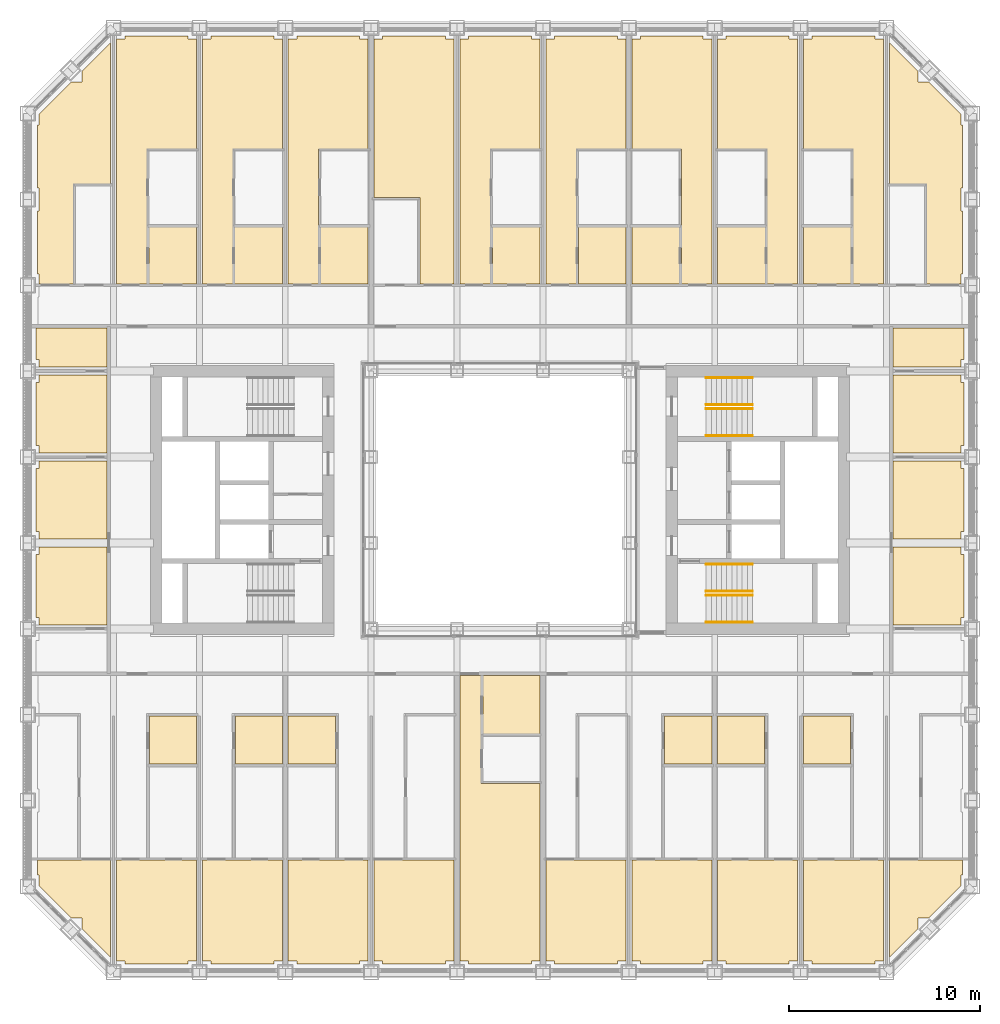
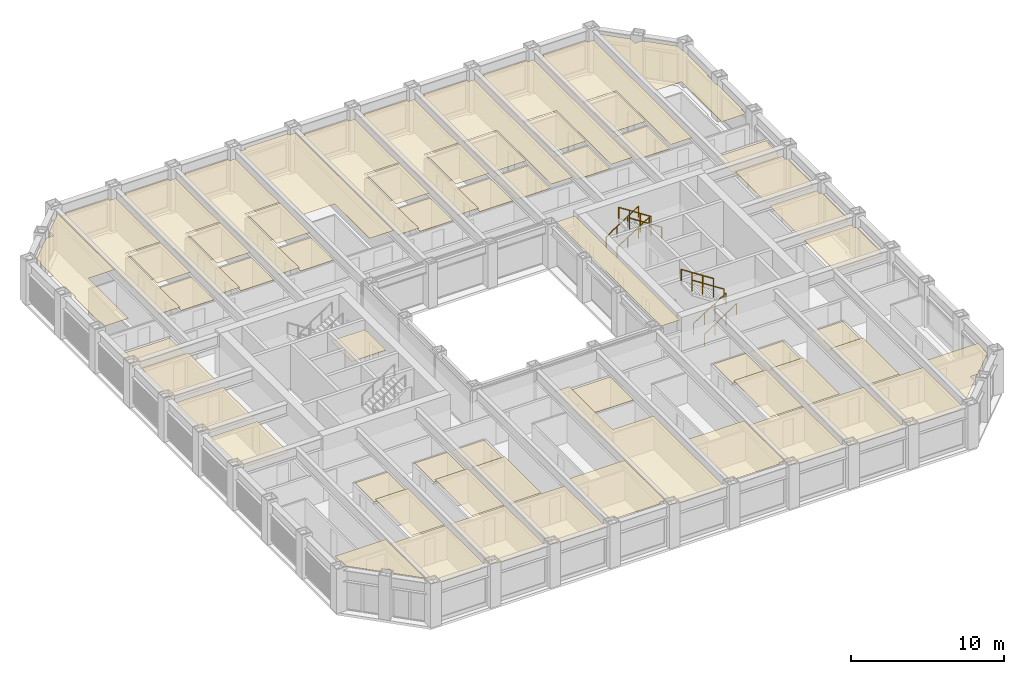
# One storey, part 20 of 21: 8 railings, 3 coverings.
"""IFC4 building model written with IfcOpenShell, lengths in metres."""

from ifc_helpers import new_model, si_unit, direction, frame, origin, origin_2d, place, context, subcontext, project, spatial, line, indexed_curve, circle, outline, extrude, material, layer, layer_set, type_object, element, save


model = new_model("IFC4")

# Units and contexts
model_context = context("Model", 3, precision=1e-05, world=origin(), true_north=direction((0.0, 1.0)))
body_context = subcontext(model_context, "Body", "Model", "MODEL_VIEW")
ifc_project = project(units=[si_unit("LENGTHUNIT", "METRE"), si_unit("AREAUNIT", "SQUARE_METRE"), si_unit("VOLUMEUNIT", "CUBIC_METRE"), si_unit("PLANEANGLEUNIT", "RADIAN"), si_unit("MASSUNIT", "GRAM", prefix="KILO")], contexts=[model_context])

# Site, building, storey
site_placement = place(None, origin())
site = spatial("IfcSite", under=ifc_project, at=site_placement, CompositionType="ELEMENT")
building_placement = place(site_placement, origin())
building = spatial("IfcBuilding", under=site, at=building_placement, Name="Msasa Ring Tower", CompositionType="ELEMENT")
storey_placement = place(building_placement, frame((0.0, 0.0, 68.5)))
storey = spatial("IfcBuildingStorey", under=building, at=storey_placement, Name="L17", CompositionType="ELEMENT", Elevation=68.5)

# Coverings
ifc_material_1 = material(Name="Gypsum plasterboard on a steel suspension grid", Category="steel")
ifc_layer_1 = layer(ifc_material_1, 0.014892578125)
ifc_layer_set_1 = layer_set([ifc_layer_1], Name="C1 SUSPENDED PLASTERBOARD CEILING 15")
covering_type_1 = type_object("IfcCoveringType", Name="C1 SUSPENDED PLASTERBOARD CEILING 15", PredefinedType="CEILING", material=ifc_layer_set_1)
covering_1_placement = place(storey_placement, frame((0.0, 0.0, 3.175048828125)))
element("IfcCovering", 1, at=covering_1_placement, inside=storey, type_object=covering_type_1, Name="Suspended Plasterboard Ceiling 15 public rooms L17", PredefinedType="CEILING", context=body_context, shape_type="SweptSolid", body=[
    extrude(outline(indexed_curve([(-24.23193359375, -18.867919921875), (-20.404296875, -18.867919921875), (-20.404296875, -23.95849609375), (-21.8994140625, -22.46337890625), (-21.8994140625, -21.8994140625), (-22.46337890625, -21.8994140625), (-24.1494140625, -20.21337890625), (-24.1494140625, -19.6494140625), (-24.23193359375, -19.6494140625)], segments=[line(1, 2, 3, 4, 5, 6, 7, 8, 9, 1)], self_intersect=False)), origin(), (0.0, 0.0, 1.0), 0.014892578125),
    extrude(outline(indexed_curve([(-22.3505859375, 11.31298828125), (-24.1494140625, 11.31298828125), (-24.1494140625, 11.8505859375), (-24.23193359375, 11.8505859375), (-24.23193359375, 15.1494140625), (-24.1494140625, 15.1494140625), (-24.1494140625, 16.3505859375), (-24.23193359375, 16.3505859375), (-24.23193359375, 19.6494140625), (-24.1494140625, 19.6494140625), (-24.1494140625, 20.21337890625), (-22.46337890625, 21.8994140625), (-21.8994140625, 21.8994140625), (-21.8994140625, 22.46337890625), (-20.404296875, 23.95849609375), (-20.404296875, 16.56298828125), (-22.3505859375, 16.56298828125)], segments=[line(1, 2, 3, 4, 5, 6, 7, 8, 9, 10, 11, 12, 13, 14, 15, 16, 17, 1)], self_intersect=False)), origin(), (0.0, 0.0, 1.0), 0.014892578125),
    extrude(outline(indexed_curve([(-2.404296875, -18.867919921875), (-2.404296875, -24.1494140625), (-2.8505859375, -24.1494140625), (-2.8505859375, -24.299560546875), (-6.1494140625, -24.299560546875), (-6.1494140625, -24.1494140625), (-6.595703125, -24.1494140625), (-6.595703125, -18.867919921875)], segments=[line(1, 2, 3, 4, 5, 6, 7, 8, 1)], self_intersect=False)), origin(), (0.0, 0.0, 1.0), 0.014892578125),
    extrude(outline(indexed_curve([(-2.8505859375, 24.299560546875), (-2.8505859375, 24.1494140625), (-2.404296875, 24.1494140625), (-2.404296875, 11.31298828125), (-4.199462890625, 11.31298828125), (-4.199462890625, 15.843017578125), (-6.595703125, 15.843017578125), (-6.595703125, 24.1494140625), (-6.1494140625, 24.1494140625), (-6.1494140625, 24.299560546875)], segments=[line(1, 2, 3, 4, 5, 6, 7, 8, 9, 10, 1)], self_intersect=False)), origin(), (0.0, 0.0, 1.0), 0.014892578125),
    extrude(outline(indexed_curve([(6.595703125, -18.867919921875), (6.595703125, -24.1494140625), (6.1494140625, -24.1494140625), (6.1494140625, -24.299560546875), (2.8505859375, -24.299560546875), (2.8505859375, -24.1494140625), (2.404296875, -24.1494140625), (2.404296875, -18.867919921875)], segments=[line(1, 2, 3, 4, 5, 6, 7, 8, 1)], self_intersect=False)), origin(), (0.0, 0.0, 1.0), 0.014892578125),
    extrude(outline(indexed_curve([(7.280029296875, -6.849609375), (7.280029296875, 6.849609375), (8.699462890625, 6.849609375), (8.699462890625, -6.849609375)], segments=[line(1, 2, 3, 4, 1)], self_intersect=False)), origin(), (0.0, 0.0, 1.0), 0.014892578125),
    extrude(outline(indexed_curve([(24.23193359375, -18.867919921875), (24.23193359375, -19.6494140625), (24.1494140625, -19.6494140625), (24.1494140625, -20.21337890625), (22.46337890625, -21.8994140625), (21.8994140625, -21.8994140625), (21.8994140625, -22.46337890625), (20.404296875, -23.95849609375), (20.404296875, -18.867919921875)], segments=[line(1, 2, 3, 4, 5, 6, 7, 8, 9, 1)], self_intersect=False)), origin(), (0.0, 0.0, 1.0), 0.014892578125),
    extrude(outline(indexed_curve([(21.8994140625, 22.46337890625), (21.8994140625, 21.8994140625), (22.46337890625, 21.8994140625), (24.1494140625, 20.21337890625), (24.1494140625, 19.6494140625), (24.23193359375, 19.6494140625), (24.23193359375, 16.3505859375), (24.1494140625, 16.3505859375), (24.1494140625, 15.1494140625), (24.23193359375, 15.1494140625), (24.23193359375, 11.8505859375), (24.1494140625, 11.8505859375), (24.1494140625, 11.31298828125), (22.3505859375, 11.31298828125), (22.3505859375, 16.56298828125), (20.404296875, 16.56298828125), (20.404296875, 23.95849609375)], segments=[line(1, 2, 3, 4, 5, 6, 7, 8, 9, 10, 11, 12, 13, 14, 15, 16, 17, 1)], self_intersect=False)), origin(), (0.0, 0.0, 1.0), 0.014892578125),
])
covering_2_placement = place(storey_placement, frame((0.0, 0.0, 2.699951171875)))
element("IfcCovering", 2, at=covering_2_placement, inside=storey, type_object=covering_type_1, Name="Suspended Plasterboard Ceiling 15 L17", PredefinedType="CEILING", context=body_context, shape_type="SweptSolid", body=[
    extrude(outline(indexed_curve([(-24.299560546875, -2.8505859375), (-24.1494140625, -2.8505859375), (-24.1494140625, -2.460693359375), (-20.6005859375, -2.460693359375), (-20.6005859375, -6.539306640625), (-24.1494140625, -6.539306640625), (-24.1494140625, -6.1494140625), (-24.299560546875, -6.1494140625)], segments=[line(1, 2, 3, 4, 5, 6, 7, 8, 1)], self_intersect=False)), origin(), (0.0, 0.0, 1.0), 0.01513671875),
    extrude(outline(indexed_curve([(-24.299560546875, 1.6494140625), (-24.1494140625, 1.6494140625), (-24.1494140625, 2.039306640625), (-20.6005859375, 2.039306640625), (-20.6005859375, -2.039306640625), (-24.1494140625, -2.039306640625), (-24.1494140625, -1.6494140625), (-24.299560546875, -1.6494140625)], segments=[line(1, 2, 3, 4, 5, 6, 7, 8, 1)], self_intersect=False)), origin(), (0.0, 0.0, 1.0), 0.01513671875),
    extrude(outline(indexed_curve([(-24.299560546875, 6.1494140625), (-24.1494140625, 6.1494140625), (-24.1494140625, 6.539306640625), (-20.6005859375, 6.539306640625), (-20.6005859375, 2.460693359375), (-24.1494140625, 2.460693359375), (-24.1494140625, 2.8505859375), (-24.299560546875, 2.8505859375)], segments=[line(1, 2, 3, 4, 5, 6, 7, 8, 1)], self_intersect=False)), origin(), (0.0, 0.0, 1.0), 0.01513671875),
    extrude(outline(indexed_curve([(-15.904296875, -18.867919921875), (-15.904296875, -24.1494140625), (-16.3505859375, -24.1494140625), (-16.3505859375, -24.299560546875), (-19.6494140625, -24.299560546875), (-19.6494140625, -24.1494140625), (-20.095703125, -24.1494140625), (-20.095703125, -18.867919921875)], segments=[line(1, 2, 3, 4, 5, 6, 7, 8, 1)], self_intersect=False)), origin(), (0.0, 0.0, 1.0), 0.01513671875),
    extrude(outline(indexed_curve([(-16.3505859375, 24.299560546875), (-16.3505859375, 24.1494140625), (-15.904296875, 24.1494140625), (-15.904296875, 18.40087890625), (-18.50048828125, 18.40087890625), (-18.50048828125, 11.31298828125), (-20.095703125, 11.31298828125), (-20.095703125, 24.1494140625), (-19.6494140625, 24.1494140625), (-19.6494140625, 24.299560546875)], segments=[line(1, 2, 3, 4, 5, 6, 7, 8, 9, 10, 1)], self_intersect=False)), origin(), (0.0, 0.0, 1.0), 0.01513671875),
    extrude(outline(indexed_curve([(-15.904296875, 18.294921875), (-15.904296875, 14.430419921875), (-18.3994140625, 14.430419921875), (-18.3994140625, 18.294921875)], segments=[line(1, 2, 3, 4, 1)], self_intersect=False)), origin(), (0.0, 0.0, 1.0), 0.01513671875),
    extrude(outline(indexed_curve([(-15.904296875, -13.992919921875), (-15.904296875, -18.757080078125), (-18.369384765625, -18.757080078125), (-18.369384765625, -13.992919921875)], segments=[line(1, 2, 3, 4, 1)], self_intersect=False)), origin(), (0.0, 0.0, 1.0), 0.01513671875),
    extrude(outline(indexed_curve([(-15.1494140625, -24.299560546875), (-15.1494140625, -24.1494140625), (-15.595703125, -24.1494140625), (-15.595703125, -18.867919921875), (-11.404296875, -18.867919921875), (-11.404296875, -24.1494140625), (-11.8505859375, -24.1494140625), (-11.8505859375, -24.299560546875)], segments=[line(1, 2, 3, 4, 5, 6, 7, 8, 1)], self_intersect=False)), origin(), (0.0, 0.0, 1.0), 0.01513671875),
    extrude(outline(indexed_curve([(-11.8505859375, 24.299560546875), (-11.8505859375, 24.1494140625), (-11.404296875, 24.1494140625), (-11.404296875, 18.403564453125), (-14.00048828125, 18.403564453125), (-14.00048828125, 11.31298828125), (-15.595703125, 11.31298828125), (-15.595703125, 24.1494140625), (-15.1494140625, 24.1494140625), (-15.1494140625, 24.299560546875)], segments=[line(1, 2, 3, 4, 5, 6, 7, 8, 9, 10, 1)], self_intersect=False)), origin(), (0.0, 0.0, 1.0), 0.01513671875),
    extrude(outline(indexed_curve([(-11.404296875, 18.297607421875), (-11.404296875, 14.430419921875), (-13.8994140625, 14.430419921875), (-13.8994140625, 18.297607421875)], segments=[line(1, 2, 3, 4, 1)], self_intersect=False)), origin(), (0.0, 0.0, 1.0), 0.01513671875),
    extrude(outline(indexed_curve([(-11.404296875, -13.992919921875), (-11.404296875, -18.757080078125), (-13.869384765625, -18.757080078125), (-13.869384765625, -13.992919921875)], segments=[line(1, 2, 3, 4, 1)], self_intersect=False)), origin(), (0.0, 0.0, 1.0), 0.01513671875),
    extrude(outline(indexed_curve([(-9.300537109375, 3.074462890625), (-9.300537109375, 0.35546875), (-11.87451171875, 0.35546875), (-11.87451171875, 3.074462890625)], segments=[line(1, 2, 3, 4, 1)], self_intersect=False)), origin(), (0.0, 0.0, 1.0), 0.01513671875),
    extrude(outline(indexed_curve([(-10.6494140625, -24.299560546875), (-10.6494140625, -24.1494140625), (-11.095703125, -24.1494140625), (-11.095703125, -18.867919921875), (-6.904296875, -18.867919921875), (-6.904296875, -24.1494140625), (-7.3505859375, -24.1494140625), (-7.3505859375, -24.299560546875)], segments=[line(1, 2, 3, 4, 5, 6, 7, 8, 1)], self_intersect=False)), origin(), (0.0, 0.0, 1.0), 0.01513671875),
    extrude(outline(indexed_curve([(-8.630615234375, -13.992919921875), (-8.630615234375, -18.757080078125), (-11.095703125, -18.757080078125), (-11.095703125, -13.992919921875)], segments=[line(1, 2, 3, 4, 1)], self_intersect=False)), origin(), (0.0, 0.0, 1.0), 0.01513671875),
    extrude(outline(indexed_curve([(-7.3505859375, 24.299560546875), (-7.3505859375, 24.1494140625), (-6.904296875, 24.1494140625), (-6.904296875, 18.403564453125), (-9.50048828125, 18.403564453125), (-9.50048828125, 11.31298828125), (-11.095703125, 11.31298828125), (-11.095703125, 24.1494140625), (-10.6494140625, 24.1494140625), (-10.6494140625, 24.299560546875)], segments=[line(1, 2, 3, 4, 5, 6, 7, 8, 9, 10, 1)], self_intersect=False)), origin(), (0.0, 0.0, 1.0), 0.01513671875),
    extrude(outline(indexed_curve([(-6.904296875, 18.297607421875), (-6.904296875, 14.430419921875), (-9.3994140625, 14.430419921875), (-9.3994140625, 18.297607421875)], segments=[line(1, 2, 3, 4, 1)], self_intersect=False)), origin(), (0.0, 0.0, 1.0), 0.01513671875),
    extrude(outline(indexed_curve([(-1.00048828125, -9.200439453125), (-1.00048828125, -14.8505859375), (2.095703125, -14.8505859375), (2.095703125, -24.1494140625), (1.6494140625, -24.1494140625), (1.6494140625, -24.299560546875), (-1.6494140625, -24.299560546875), (-1.6494140625, -24.1494140625), (-2.095703125, -24.1494140625), (-2.095703125, -9.200439453125)], segments=[line(1, 2, 3, 4, 5, 6, 7, 8, 9, 10, 1)], self_intersect=False)), origin(), (0.0, 0.0, 1.0), 0.01513671875),
    extrude(outline(indexed_curve([(1.6494140625, 24.299560546875), (1.6494140625, 24.1494140625), (2.095703125, 24.1494140625), (2.095703125, 18.403564453125), (-0.50048828125, 18.403564453125), (-0.50048828125, 11.31298828125), (-2.095703125, 11.31298828125), (-2.095703125, 24.1494140625), (-1.6494140625, 24.1494140625), (-1.6494140625, 24.299560546875)], segments=[line(1, 2, 3, 4, 5, 6, 7, 8, 9, 10, 1)], self_intersect=False)), origin(), (0.0, 0.0, 1.0), 0.01513671875),
    extrude(outline(indexed_curve([(2.095703125, 18.297607421875), (2.095703125, 14.430419921875), (-0.3994140625, 14.430419921875), (-0.3994140625, 18.297607421875)], segments=[line(1, 2, 3, 4, 1)], self_intersect=False)), origin(), (0.0, 0.0, 1.0), 0.01513671875),
    extrude(outline(indexed_curve([(6.1494140625, 24.299560546875), (6.1494140625, 24.1494140625), (6.595703125, 24.1494140625), (6.595703125, 18.403564453125), (3.99951171875, 18.403564453125), (3.99951171875, 11.31298828125), (2.404296875, 11.31298828125), (2.404296875, 24.1494140625), (2.8505859375, 24.1494140625), (2.8505859375, 24.299560546875)], segments=[line(1, 2, 3, 4, 5, 6, 7, 8, 9, 10, 1)], self_intersect=False)), origin(), (0.0, 0.0, 1.0), 0.01513671875),
    extrude(outline(indexed_curve([(6.595703125, 18.297607421875), (6.595703125, 14.430419921875), (4.1005859375, 14.430419921875), (4.1005859375, 18.297607421875)], segments=[line(1, 2, 3, 4, 1)], self_intersect=False)), origin(), (0.0, 0.0, 1.0), 0.01513671875),
    extrude(outline(indexed_curve([(7.3505859375, -24.299560546875), (7.3505859375, -24.1494140625), (6.904296875, -24.1494140625), (6.904296875, -18.867919921875), (11.095703125, -18.867919921875), (11.095703125, -24.1494140625), (10.6494140625, -24.1494140625), (10.6494140625, -24.299560546875)], segments=[line(1, 2, 3, 4, 5, 6, 7, 8, 1)], self_intersect=False)), origin(), (0.0, 0.0, 1.0), 0.01513671875),
    extrude(outline(indexed_curve([(9.50048828125, 11.31298828125), (9.50048828125, 18.403564453125), (6.904296875, 18.403564453125), (6.904296875, 24.1494140625), (7.3505859375, 24.1494140625), (7.3505859375, 24.299560546875), (10.6494140625, 24.299560546875), (10.6494140625, 24.1494140625), (11.095703125, 24.1494140625), (11.095703125, 11.31298828125)], segments=[line(1, 2, 3, 4, 5, 6, 7, 8, 9, 10, 1)], self_intersect=False)), origin(), (0.0, 0.0, 1.0), 0.01513671875),
    extrude(outline(indexed_curve([(9.3994140625, 18.297607421875), (9.3994140625, 14.430419921875), (6.904296875, 14.430419921875), (6.904296875, 18.297607421875)], segments=[line(1, 2, 3, 4, 1)], self_intersect=False)), origin(), (0.0, 0.0, 1.0), 0.01513671875),
    extrude(outline(indexed_curve([(11.095703125, -13.992919921875), (11.095703125, -18.757080078125), (8.630615234375, -18.757080078125), (8.630615234375, -13.992919921875)], segments=[line(1, 2, 3, 4, 1)], self_intersect=False)), origin(), (0.0, 0.0, 1.0), 0.01513671875),
    extrude(outline(indexed_curve([(11.8505859375, -24.299560546875), (11.8505859375, -24.1494140625), (11.404296875, -24.1494140625), (11.404296875, -18.867919921875), (15.595703125, -18.867919921875), (15.595703125, -24.1494140625), (15.1494140625, -24.1494140625), (15.1494140625, -24.299560546875)], segments=[line(1, 2, 3, 4, 5, 6, 7, 8, 1)], self_intersect=False)), origin(), (0.0, 0.0, 1.0), 0.01513671875),
    extrude(outline(indexed_curve([(13.869384765625, -13.992919921875), (13.869384765625, -18.757080078125), (11.404296875, -18.757080078125), (11.404296875, -13.992919921875)], segments=[line(1, 2, 3, 4, 1)], self_intersect=False)), origin(), (0.0, 0.0, 1.0), 0.01513671875),
    extrude(outline(indexed_curve([(14.00048828125, 11.31298828125), (14.00048828125, 18.403564453125), (11.404296875, 18.403564453125), (11.404296875, 24.1494140625), (11.8505859375, 24.1494140625), (11.8505859375, 24.299560546875), (15.1494140625, 24.299560546875), (15.1494140625, 24.1494140625), (15.595703125, 24.1494140625), (15.595703125, 11.31298828125)], segments=[line(1, 2, 3, 4, 5, 6, 7, 8, 9, 10, 1)], self_intersect=False)), origin(), (0.0, 0.0, 1.0), 0.01513671875),
    extrude(outline(indexed_curve([(13.8994140625, 18.297607421875), (13.8994140625, 14.430419921875), (11.404296875, 14.430419921875), (11.404296875, 18.297607421875)], segments=[line(1, 2, 3, 4, 1)], self_intersect=False)), origin(), (0.0, 0.0, 1.0), 0.01513671875),
    extrude(outline(indexed_curve([(20.095703125, -18.867919921875), (20.095703125, -24.1494140625), (19.6494140625, -24.1494140625), (19.6494140625, -24.299560546875), (16.3505859375, -24.299560546875), (16.3505859375, -24.1494140625), (15.904296875, -24.1494140625), (15.904296875, -18.867919921875)], segments=[line(1, 2, 3, 4, 5, 6, 7, 8, 1)], self_intersect=False)), origin(), (0.0, 0.0, 1.0), 0.01513671875),
    extrude(outline(indexed_curve([(18.369384765625, -13.992919921875), (18.369384765625, -18.757080078125), (15.904296875, -18.757080078125), (15.904296875, -13.992919921875)], segments=[line(1, 2, 3, 4, 1)], self_intersect=False)), origin(), (0.0, 0.0, 1.0), 0.01513671875),
    extrude(outline(indexed_curve([(18.50048828125, 11.31298828125), (18.50048828125, 18.40087890625), (15.904296875, 18.40087890625), (15.904296875, 24.1494140625), (16.3505859375, 24.1494140625), (16.3505859375, 24.299560546875), (19.6494140625, 24.299560546875), (19.6494140625, 24.1494140625), (20.095703125, 24.1494140625), (20.095703125, 11.31298828125)], segments=[line(1, 2, 3, 4, 5, 6, 7, 8, 9, 10, 1)], self_intersect=False)), origin(), (0.0, 0.0, 1.0), 0.01513671875),
    extrude(outline(indexed_curve([(18.3994140625, 18.294921875), (18.3994140625, 14.430419921875), (15.904296875, 14.430419921875), (15.904296875, 18.294921875)], segments=[line(1, 2, 3, 4, 1)], self_intersect=False)), origin(), (0.0, 0.0, 1.0), 0.01513671875),
    extrude(outline(indexed_curve([(20.6005859375, -2.460693359375), (24.1494140625, -2.460693359375), (24.1494140625, -2.8505859375), (24.299560546875, -2.8505859375), (24.299560546875, -6.1494140625), (24.1494140625, -6.1494140625), (24.1494140625, -6.539306640625), (20.6005859375, -6.539306640625)], segments=[line(1, 2, 3, 4, 5, 6, 7, 8, 1)], self_intersect=False)), origin(), (0.0, 0.0, 1.0), 0.01513671875),
    extrude(outline(indexed_curve([(20.6005859375, 2.039306640625), (24.1494140625, 2.039306640625), (24.1494140625, 1.6494140625), (24.299560546875, 1.6494140625), (24.299560546875, -1.6494140625), (24.1494140625, -1.6494140625), (24.1494140625, -2.039306640625), (20.6005859375, -2.039306640625)], segments=[line(1, 2, 3, 4, 5, 6, 7, 8, 1)], self_intersect=False)), origin(), (0.0, 0.0, 1.0), 0.01513671875),
    extrude(outline(indexed_curve([(20.6005859375, 6.539306640625), (24.1494140625, 6.539306640625), (24.1494140625, 6.1494140625), (24.299560546875, 6.1494140625), (24.299560546875, 2.8505859375), (24.1494140625, 2.8505859375), (24.1494140625, 2.460693359375), (20.6005859375, 2.460693359375)], segments=[line(1, 2, 3, 4, 5, 6, 7, 8, 1)], self_intersect=False)), origin(), (0.0, 0.0, 1.0), 0.01513671875),
])
ifc_material_2 = material(Name="Moisture-resistant gypsum plasterboard on a steel suspension grid", Category="steel")
ifc_layer_2 = layer(ifc_material_2, 0.014892578125)
ifc_layer_set_2 = layer_set([ifc_layer_2], Name="C2 MOISTURE-RESISTANT PLASTERBOARD CEILING 15")
covering_type_2 = type_object("IfcCoveringType", Name="C2 MOISTURE-RESISTANT PLASTERBOARD CEILING 15", PredefinedType="CEILING", material=ifc_layer_set_2)
covering_3_placement = place(storey_placement, frame((0.0, 0.0, 2.39990234375)))
element("IfcCovering", 3, at=covering_3_placement, inside=storey, type_object=covering_type_2, Name="Moisture-Resistant Plasterboard Ceiling 15 L17", PredefinedType="CEILING", context=body_context, shape_type="SweptSolid", body=[
    extrude(outline(indexed_curve([(-20.6005859375, 6.960693359375), (-24.1494140625, 6.960693359375), (-24.1494140625, 7.3505859375), (-24.299560546875, 7.3505859375), (-24.299560546875, 8.99951171875), (-20.6005859375, 8.99951171875)], segments=[line(1, 2, 3, 4, 5, 6, 1)], self_intersect=False)), origin(), (0.0, 0.0, 1.0), 0.01513671875),
    extrude(outline(indexed_curve([(-18.3994140625, 14.299560546875), (-15.904296875, 14.299560546875), (-15.904296875, 11.31298828125), (-18.3994140625, 11.31298828125)], segments=[line(1, 2, 3, 4, 1)], self_intersect=False)), origin(), (0.0, 0.0, 1.0), 0.01513671875),
    extrude(outline(indexed_curve([(-18.369384765625, -11.318115234375), (-15.904296875, -11.318115234375), (-15.904296875, -13.83203125), (-18.369384765625, -13.83203125)], segments=[line(1, 2, 3, 4, 1)], self_intersect=False)), origin(), (0.0, 0.0, 1.0), 0.01513671875),
    extrude(outline(indexed_curve([(-13.8994140625, 14.299560546875), (-11.404296875, 14.299560546875), (-11.404296875, 11.31298828125), (-13.8994140625, 11.31298828125)], segments=[line(1, 2, 3, 4, 1)], self_intersect=False)), origin(), (0.0, 0.0, 1.0), 0.01513671875),
    extrude(outline(indexed_curve([(-13.869384765625, -11.318115234375), (-11.404296875, -11.318115234375), (-11.404296875, -13.83203125), (-13.869384765625, -13.83203125)], segments=[line(1, 2, 3, 4, 1)], self_intersect=False)), origin(), (0.0, 0.0, 1.0), 0.01513671875),
    extrude(outline(indexed_curve([(-8.630615234375, -11.318115234375), (-8.630615234375, -13.83203125), (-11.095703125, -13.83203125), (-11.095703125, -11.318115234375)], segments=[line(1, 2, 3, 4, 1)], self_intersect=False)), origin(), (0.0, 0.0, 1.0), 0.01513671875),
    extrude(outline(indexed_curve([(-9.3994140625, 14.299560546875), (-6.904296875, 14.299560546875), (-6.904296875, 11.31298828125), (-9.3994140625, 11.31298828125)], segments=[line(1, 2, 3, 4, 1)], self_intersect=False)), origin(), (0.0, 0.0, 1.0), 0.01513671875),
    extrude(outline(indexed_curve([(-0.8994140625, -9.200439453125), (2.095703125, -9.200439453125), (2.095703125, -12.24951171875), (-0.8994140625, -12.24951171875)], segments=[line(1, 2, 3, 4, 1)], self_intersect=False)), origin(), (0.0, 0.0, 1.0), 0.01513671875),
    extrude(outline(indexed_curve([(-0.3994140625, 14.299560546875), (2.095703125, 14.299560546875), (2.095703125, 11.31298828125), (-0.3994140625, 11.31298828125)], segments=[line(1, 2, 3, 4, 1)], self_intersect=False)), origin(), (0.0, 0.0, 1.0), 0.01513671875),
    extrude(outline(indexed_curve([(4.1005859375, 14.299560546875), (6.595703125, 14.299560546875), (6.595703125, 11.31298828125), (4.1005859375, 11.31298828125)], segments=[line(1, 2, 3, 4, 1)], self_intersect=False)), origin(), (0.0, 0.0, 1.0), 0.01513671875),
    extrude(outline(indexed_curve([(9.3994140625, 14.299560546875), (9.3994140625, 11.31298828125), (6.904296875, 11.31298828125), (6.904296875, 14.299560546875)], segments=[line(1, 2, 3, 4, 1)], self_intersect=False)), origin(), (0.0, 0.0, 1.0), 0.01513671875),
    extrude(outline(indexed_curve([(8.630615234375, -11.318115234375), (11.095703125, -11.318115234375), (11.095703125, -13.83203125), (8.630615234375, -13.83203125)], segments=[line(1, 2, 3, 4, 1)], self_intersect=False)), origin(), (0.0, 0.0, 1.0), 0.01513671875),
    extrude(outline(indexed_curve([(13.869384765625, -11.318115234375), (13.869384765625, -13.83203125), (11.404296875, -13.83203125), (11.404296875, -11.318115234375)], segments=[line(1, 2, 3, 4, 1)], self_intersect=False)), origin(), (0.0, 0.0, 1.0), 0.01513671875),
    extrude(outline(indexed_curve([(13.8994140625, 14.299560546875), (13.8994140625, 11.31298828125), (11.404296875, 11.31298828125), (11.404296875, 14.299560546875)], segments=[line(1, 2, 3, 4, 1)], self_intersect=False)), origin(), (0.0, 0.0, 1.0), 0.01513671875),
    extrude(outline(indexed_curve([(18.369384765625, -11.318115234375), (18.369384765625, -13.83203125), (15.904296875, -13.83203125), (15.904296875, -11.318115234375)], segments=[line(1, 2, 3, 4, 1)], self_intersect=False)), origin(), (0.0, 0.0, 1.0), 0.01513671875),
    extrude(outline(indexed_curve([(18.3994140625, 14.299560546875), (18.3994140625, 11.31298828125), (15.904296875, 11.31298828125), (15.904296875, 14.299560546875)], segments=[line(1, 2, 3, 4, 1)], self_intersect=False)), origin(), (0.0, 0.0, 1.0), 0.01513671875),
    extrude(outline(indexed_curve([(20.6005859375, 8.99951171875), (24.299560546875, 8.99951171875), (24.299560546875, 7.3505859375), (24.1494140625, 7.3505859375), (24.1494140625, 6.960693359375), (20.6005859375, 6.960693359375)], segments=[line(1, 2, 3, 4, 5, 6, 1)], self_intersect=False)), origin(), (0.0, 0.0, 1.0), 0.01513671875),
])

# Railings
ifc_material_3 = material(Name="Stainless steel", Category="steel")
railing_type = type_object("IfcRailingType", Name="HR1 HANDRAIL 900", PredefinedType="HANDRAIL", material=ifc_material_3)
for number, where, name in (
    (4, (10.800048828125, -6.39990234375, 0.175048828125), "Handrail stair SEA L17 1"),
    (5, (10.800048828125, -5.0, 0.175048828125), "Handrail stair SEA L17 2"),
):
    element("IfcRailing", number, at=place(storey_placement, frame(where)), inside=storey, type_object=railing_type, Name=name, PredefinedType="HANDRAIL", context=body_context, shape_type="SweptSolid", body=[
        extrude(circle(Radius=0.02392578125, at=origin_2d()), frame((0.0, 0.0, 0.8759765625), z_axis=(0.839153699163, 0.0, 0.543894354798), x_axis=(0.0, 1.0, 0.0)), (0.0, 0.0, 1.0), 2.895751953125),
        extrude(circle(Radius=0.02099609375, at=origin_2d()), origin(), (0.0, 0.0, 1.0), 0.851806640625),
        extrude(circle(Radius=0.02099609375, at=origin_2d()), frame((0.81005859375, 0.0, 0.52490234375)), (0.0, 0.0, 1.0), 0.851806640625),
        extrude(circle(Radius=0.02099609375, at=origin_2d()), frame((1.619873046875, 0.0, 1.050048828125)), (0.0, 0.0, 1.0), 0.851806640625),
        extrude(circle(Radius=0.02099609375, at=origin_2d()), frame((2.429931640625, 0.0, 1.574951171875)), (0.0, 0.0, 1.0), 0.851806640625),
    ])
for number, where, name in (
    (6, (13.22998046875, -4.77490234375, 1.925048828125), "Handrail stair SEA L17 3"),
    (7, (13.22998046875, -3.375, 1.925048828125), "Handrail stair SEA L17 4"),
):
    element("IfcRailing", number, at=place(storey_placement, frame(where)), inside=storey, type_object=railing_type, Name=name, PredefinedType="HANDRAIL", context=body_context, shape_type="SweptSolid", body=[
        extrude(circle(Radius=0.02392578125, at=origin_2d()), frame((0.0, 0.0, 0.8759765625), z_axis=(-0.839153699163, 0.0, 0.543894354798), x_axis=(0.0, -1.0, 0.0)), (0.0, 0.0, 1.0), 2.895751953125),
        extrude(circle(Radius=0.02099609375, at=origin_2d()), origin(), (0.0, 0.0, 1.0), 0.851806640625),
        extrude(circle(Radius=0.02099609375, at=origin_2d()), frame((-0.81005859375, 0.0, 0.52490234375)), (0.0, 0.0, 1.0), 0.851806640625),
        extrude(circle(Radius=0.02099609375, at=origin_2d()), frame((-1.619873046875, 0.0, 1.050048828125)), (0.0, 0.0, 1.0), 0.851806640625),
        extrude(circle(Radius=0.02099609375, at=origin_2d()), frame((-2.429931640625, 0.0, 1.574951171875)), (0.0, 0.0, 1.0), 0.851806640625),
    ])
for number, where, name in (
    (8, (10.800048828125, 5.0, 0.175048828125), "Handrail stair SEB L17 1"),
    (9, (10.800048828125, 6.39990234375, 0.175048828125), "Handrail stair SEB L17 2"),
):
    element("IfcRailing", number, at=place(storey_placement, frame(where)), inside=storey, type_object=railing_type, Name=name, PredefinedType="HANDRAIL", context=body_context, shape_type="SweptSolid", body=[
        extrude(circle(Radius=0.02392578125, at=origin_2d()), frame((0.0, 0.0, 0.8759765625), z_axis=(0.839153699163, 0.0, 0.543894354798), x_axis=(0.0, 1.0, 0.0)), (0.0, 0.0, 1.0), 2.895751953125),
        extrude(circle(Radius=0.02099609375, at=origin_2d()), origin(), (0.0, 0.0, 1.0), 0.851806640625),
        extrude(circle(Radius=0.02099609375, at=origin_2d()), frame((0.81005859375, 0.0, 0.52490234375)), (0.0, 0.0, 1.0), 0.851806640625),
        extrude(circle(Radius=0.02099609375, at=origin_2d()), frame((1.619873046875, 0.0, 1.050048828125)), (0.0, 0.0, 1.0), 0.851806640625),
        extrude(circle(Radius=0.02099609375, at=origin_2d()), frame((2.429931640625, 0.0, 1.574951171875)), (0.0, 0.0, 1.0), 0.851806640625),
    ])
for number, where, name in (
    (10, (13.22998046875, 3.375, 1.925048828125), "Handrail stair SEB L17 3"),
    (11, (13.22998046875, 4.77490234375, 1.925048828125), "Handrail stair SEB L17 4"),
):
    element("IfcRailing", number, at=place(storey_placement, frame(where)), inside=storey, type_object=railing_type, Name=name, PredefinedType="HANDRAIL", context=body_context, shape_type="SweptSolid", body=[
        extrude(circle(Radius=0.02392578125, at=origin_2d()), frame((0.0, 0.0, 0.8759765625), z_axis=(-0.839153699163, 0.0, 0.543894354798), x_axis=(0.0, -1.0, 0.0)), (0.0, 0.0, 1.0), 2.895751953125),
        extrude(circle(Radius=0.02099609375, at=origin_2d()), origin(), (0.0, 0.0, 1.0), 0.851806640625),
        extrude(circle(Radius=0.02099609375, at=origin_2d()), frame((-0.81005859375, 0.0, 0.52490234375)), (0.0, 0.0, 1.0), 0.851806640625),
        extrude(circle(Radius=0.02099609375, at=origin_2d()), frame((-1.619873046875, 0.0, 1.050048828125)), (0.0, 0.0, 1.0), 0.851806640625),
        extrude(circle(Radius=0.02099609375, at=origin_2d()), frame((-2.429931640625, 0.0, 1.574951171875)), (0.0, 0.0, 1.0), 0.851806640625),
    ])

save(model, "model.ifc")
